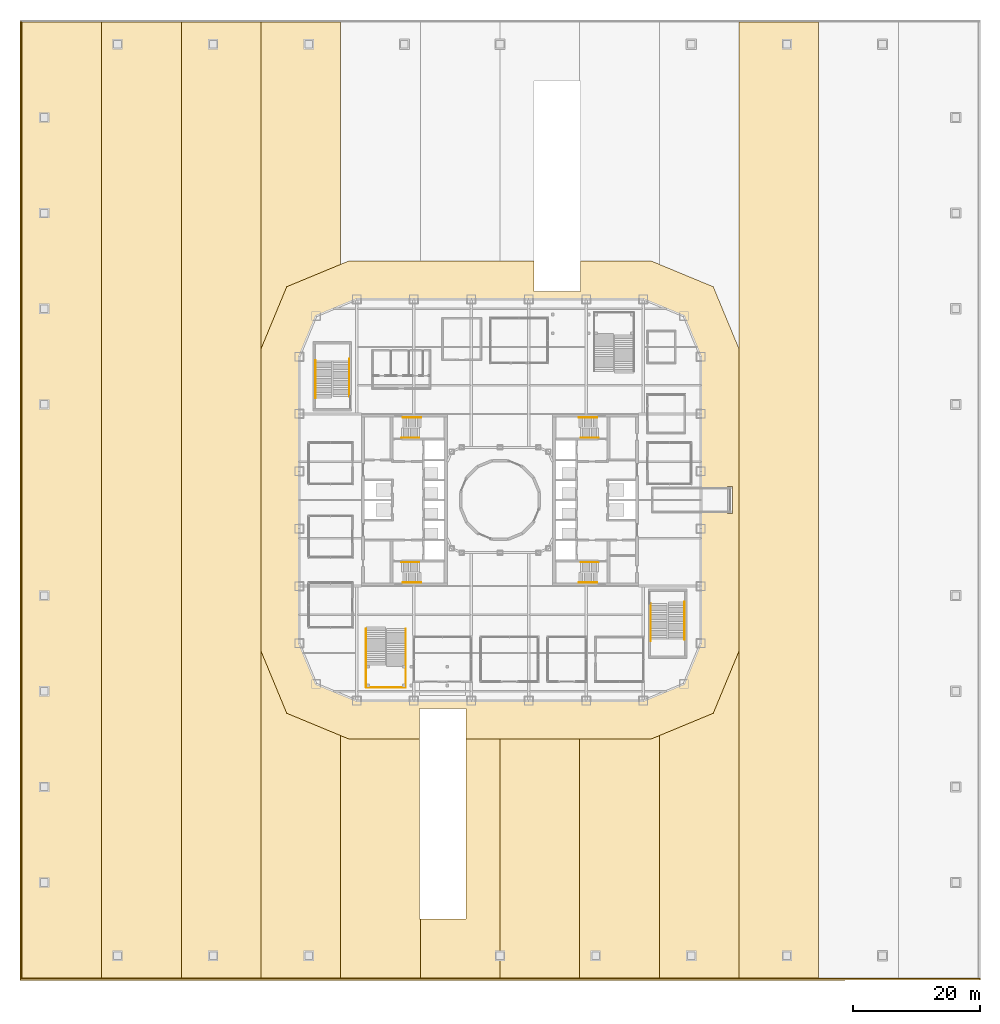
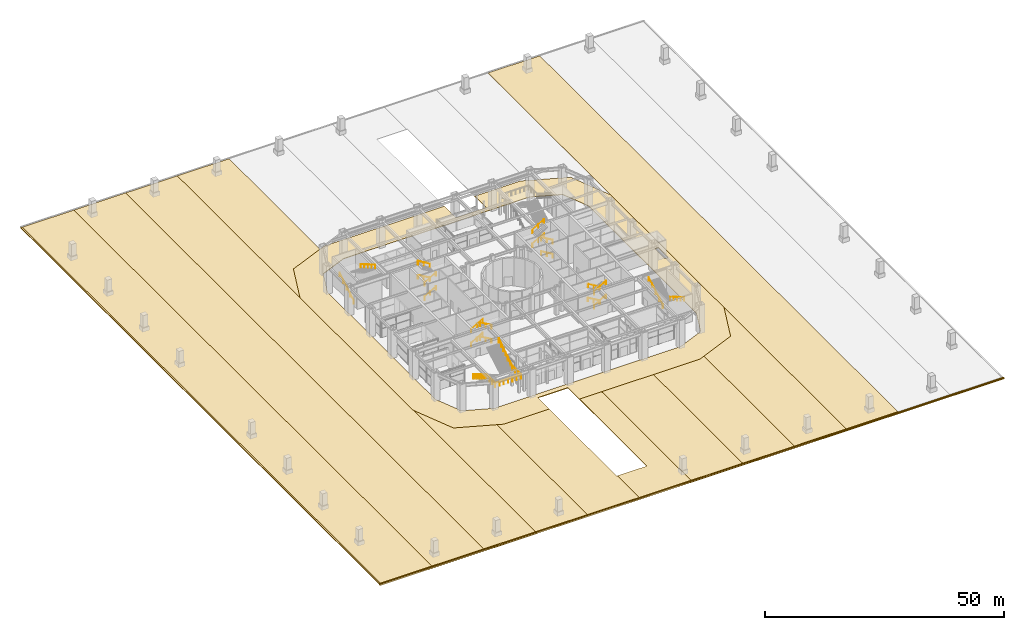
# One storey, part 18 of 20: 21 railings, 14 coverings.
"""IFC4 building model written with IfcOpenShell, lengths in metres."""

from ifc_helpers import new_model, si_unit, direction, frame, origin, origin_2d, place, context, subcontext, project, spatial, polyline, circle, outline, extrude, material, layer, layer_set, type_object, element, save


model = new_model("IFC4")

# Units and contexts
model_context = context("Model", 3, precision=1e-05, world=origin(), true_north=direction((0.0, 1.0)))
body_context = subcontext(model_context, "Body", "Model", "MODEL_VIEW")
ifc_project = project(units=[si_unit("LENGTHUNIT", "METRE"), si_unit("AREAUNIT", "SQUARE_METRE"), si_unit("VOLUMEUNIT", "CUBIC_METRE"), si_unit("PLANEANGLEUNIT", "RADIAN"), si_unit("MASSUNIT", "GRAM", prefix="KILO")], contexts=[model_context])

# Site, building, storey
site_placement = place(None, origin())
site = spatial("IfcSite", under=ifc_project, at=site_placement, CompositionType="ELEMENT")
building_placement = place(site_placement, origin())
building = spatial("IfcBuilding", under=site, at=building_placement, Name="Siwar Civic Tower", CompositionType="ELEMENT")
storey_placement = place(building_placement, origin())
storey = spatial("IfcBuildingStorey", under=building, at=storey_placement, Name="L00", CompositionType="ELEMENT", Elevation=0.0)

# Railings
ifc_material_1 = material(Name="Stainless steel", Category="steel")
railing_type_1 = type_object("IfcRailingType", Name="CORE-STAIR-HANDRAIL", PredefinedType="HANDRAIL", material=ifc_material_1)
railing_1_placement = place(storey_placement, frame((-15.449951171875, 9.758056640625, 0.16357421875)))
element("IfcRailing", 1, at=railing_1_placement, inside=storey, type_object=railing_type_1, Name="Stair handrail ST1", PredefinedType="HANDRAIL", context=body_context, shape_type="SweptSolid", body=[
    extrude(circle(Radius=0.02001953125, at=origin_2d()), frame((0.0, 0.0, 0.8798828125), z_axis=(0.859351957796, 0.0, 0.511384603436), x_axis=(0.0, 1.0, 0.0)), (0.0, 0.0, 1.0), 3.2001953125),
    extrude(circle(Radius=0.02001953125, at=origin_2d()), origin(), (0.0, 0.0, 1.0), 0.85986328125),
    extrude(circle(Radius=0.02001953125, at=origin_2d()), frame((1.375, 0.0, 0.818359375)), (0.0, 0.0, 1.0), 0.85986328125),
    extrude(circle(Radius=0.02001953125, at=origin_2d()), frame((2.75, 0.0, 1.636474609375)), (0.0, 0.0, 1.0), 0.85986328125),
])
railing_2_placement = place(storey_placement, frame((-12.39990234375, 12.94189453125, 1.963623046875)))
element("IfcRailing", 2, at=railing_2_placement, inside=storey, type_object=railing_type_1, Name="Stair handrail ST1", PredefinedType="HANDRAIL", context=body_context, shape_type="SweptSolid", body=[
    extrude(circle(Radius=0.02001953125, at=origin_2d()), frame((0.0, 0.0, 0.8798828125), z_axis=(-0.863360870873, 0.0, 0.504586966384), x_axis=(0.0, -1.0, 0.0)), (0.0, 0.0, 1.0), 3.2431640625),
    extrude(circle(Radius=0.02001953125, at=origin_2d()), origin(), (0.0, 0.0, 1.0), 0.85986328125),
    extrude(circle(Radius=0.02001953125, at=origin_2d()), frame((-1.39990234375, 0.0, 0.818359375)), (0.0, 0.0, 1.0), 0.85986328125),
    extrude(circle(Radius=0.02001953125, at=origin_2d()), frame((-2.800048828125, 0.0, 1.636474609375)), (0.0, 0.0, 1.0), 0.85986328125),
])
railing_3_placement = place(storey_placement, frame((-15.449951171875, 9.758056640625, 3.763671875)))
element("IfcRailing", 3, at=railing_3_placement, inside=storey, type_object=railing_type_1, Name="Stair handrail ST1", PredefinedType="HANDRAIL", context=body_context, shape_type="SweptSolid", body=[
    extrude(circle(Radius=0.02001953125, at=origin_2d()), frame((0.0, 0.0, 0.8798828125), z_axis=(0.859385484447, 0.0, 0.511328259656), x_axis=(0.0, 1.0, 0.0)), (0.0, 0.0, 1.0), 3.199951171875),
    extrude(circle(Radius=0.02001953125, at=origin_2d()), origin(), (0.0, 0.0, 1.0), 0.85986328125),
    extrude(circle(Radius=0.02001953125, at=origin_2d()), frame((1.375, 0.0, 0.818115234375)), (0.0, 0.0, 1.0), 0.85986328125),
    extrude(circle(Radius=0.02001953125, at=origin_2d()), frame((2.75, 0.0, 1.63623046875)), (0.0, 0.0, 1.0), 0.85986328125),
])
railing_4_placement = place(storey_placement, frame((-12.39990234375, 12.94189453125, 5.563720703125)))
element("IfcRailing", 4, at=railing_4_placement, inside=storey, type_object=railing_type_1, Name="Stair handrail ST1", PredefinedType="HANDRAIL", context=body_context, shape_type="SweptSolid", body=[
    extrude(circle(Radius=0.02001953125, at=origin_2d()), frame((0.0, 0.0, 0.8798828125), z_axis=(-0.863393664356, 0.0, 0.504530851732), x_axis=(0.0, -1.0, 0.0)), (0.0, 0.0, 1.0), 3.2431640625),
    extrude(circle(Radius=0.02001953125, at=origin_2d()), origin(), (0.0, 0.0, 1.0), 0.85986328125),
    extrude(circle(Radius=0.02001953125, at=origin_2d()), frame((-1.39990234375, 0.0, 0.818115234375)), (0.0, 0.0, 1.0), 0.85986328125),
    extrude(circle(Radius=0.02001953125, at=origin_2d()), frame((-2.800048828125, 0.0, 1.63623046875)), (0.0, 0.0, 1.0), 0.85986328125),
])
railing_5_placement = place(storey_placement, frame((-15.449951171875, -9.758056640625, 0.16357421875)))
element("IfcRailing", 5, at=railing_5_placement, inside=storey, type_object=railing_type_1, Name="Stair handrail ST2", PredefinedType="HANDRAIL", context=body_context, shape_type="SweptSolid", body=[
    extrude(circle(Radius=0.02001953125, at=origin_2d()), frame((0.0, 0.0, 0.8798828125), z_axis=(0.859351957796, 0.0, 0.511384603436), x_axis=(0.0, 1.0, 0.0)), (0.0, 0.0, 1.0), 3.2001953125),
    extrude(circle(Radius=0.02001953125, at=origin_2d()), origin(), (0.0, 0.0, 1.0), 0.85986328125),
    extrude(circle(Radius=0.02001953125, at=origin_2d()), frame((1.375, 0.0, 0.818359375)), (0.0, 0.0, 1.0), 0.85986328125),
    extrude(circle(Radius=0.02001953125, at=origin_2d()), frame((2.75, 0.0, 1.636474609375)), (0.0, 0.0, 1.0), 0.85986328125),
])
railing_6_placement = place(storey_placement, frame((-12.39990234375, -12.94189453125, 1.963623046875)))
element("IfcRailing", 6, at=railing_6_placement, inside=storey, type_object=railing_type_1, Name="Stair handrail ST2", PredefinedType="HANDRAIL", context=body_context, shape_type="SweptSolid", body=[
    extrude(circle(Radius=0.02001953125, at=origin_2d()), frame((0.0, 0.0, 0.8798828125), z_axis=(-0.863360870873, 0.0, 0.504586966384), x_axis=(0.0, -1.0, 0.0)), (0.0, 0.0, 1.0), 3.2431640625),
    extrude(circle(Radius=0.02001953125, at=origin_2d()), origin(), (0.0, 0.0, 1.0), 0.85986328125),
    extrude(circle(Radius=0.02001953125, at=origin_2d()), frame((-1.39990234375, 0.0, 0.818359375)), (0.0, 0.0, 1.0), 0.85986328125),
    extrude(circle(Radius=0.02001953125, at=origin_2d()), frame((-2.800048828125, 0.0, 1.636474609375)), (0.0, 0.0, 1.0), 0.85986328125),
])
railing_7_placement = place(storey_placement, frame((-15.449951171875, -9.758056640625, 3.763671875)))
element("IfcRailing", 7, at=railing_7_placement, inside=storey, type_object=railing_type_1, Name="Stair handrail ST2", PredefinedType="HANDRAIL", context=body_context, shape_type="SweptSolid", body=[
    extrude(circle(Radius=0.02001953125, at=origin_2d()), frame((0.0, 0.0, 0.8798828125), z_axis=(0.859385484447, 0.0, 0.511328259656), x_axis=(0.0, 1.0, 0.0)), (0.0, 0.0, 1.0), 3.199951171875),
    extrude(circle(Radius=0.02001953125, at=origin_2d()), origin(), (0.0, 0.0, 1.0), 0.85986328125),
    extrude(circle(Radius=0.02001953125, at=origin_2d()), frame((1.375, 0.0, 0.818115234375)), (0.0, 0.0, 1.0), 0.85986328125),
    extrude(circle(Radius=0.02001953125, at=origin_2d()), frame((2.75, 0.0, 1.63623046875)), (0.0, 0.0, 1.0), 0.85986328125),
])
railing_8_placement = place(storey_placement, frame((-12.39990234375, -12.94189453125, 5.563720703125)))
element("IfcRailing", 8, at=railing_8_placement, inside=storey, type_object=railing_type_1, Name="Stair handrail ST2", PredefinedType="HANDRAIL", context=body_context, shape_type="SweptSolid", body=[
    extrude(circle(Radius=0.02001953125, at=origin_2d()), frame((0.0, 0.0, 0.8798828125), z_axis=(-0.863393664356, 0.0, 0.504530851732), x_axis=(0.0, -1.0, 0.0)), (0.0, 0.0, 1.0), 3.2431640625),
    extrude(circle(Radius=0.02001953125, at=origin_2d()), origin(), (0.0, 0.0, 1.0), 0.85986328125),
    extrude(circle(Radius=0.02001953125, at=origin_2d()), frame((-1.39990234375, 0.0, 0.818115234375)), (0.0, 0.0, 1.0), 0.85986328125),
    extrude(circle(Radius=0.02001953125, at=origin_2d()), frame((-2.800048828125, 0.0, 1.63623046875)), (0.0, 0.0, 1.0), 0.85986328125),
])
railing_9_placement = place(storey_placement, frame((15.449951171875, 9.758056640625, 0.16357421875)))
element("IfcRailing", 9, at=railing_9_placement, inside=storey, type_object=railing_type_1, Name="Stair handrail ST3", PredefinedType="HANDRAIL", context=body_context, shape_type="SweptSolid", body=[
    extrude(circle(Radius=0.02001953125, at=origin_2d()), frame((0.0, 0.0, 0.8798828125), z_axis=(-0.859351957796, 0.0, 0.511384603436), x_axis=(0.0, -1.0, 0.0)), (0.0, 0.0, 1.0), 3.2001953125),
    extrude(circle(Radius=0.02001953125, at=origin_2d()), origin(), (0.0, 0.0, 1.0), 0.85986328125),
    extrude(circle(Radius=0.02001953125, at=origin_2d()), frame((-1.375, 0.0, 0.818359375)), (0.0, 0.0, 1.0), 0.85986328125),
    extrude(circle(Radius=0.02001953125, at=origin_2d()), frame((-2.75, 0.0, 1.636474609375)), (0.0, 0.0, 1.0), 0.85986328125),
])
railing_10_placement = place(storey_placement, frame((12.39990234375, 12.94189453125, 1.963623046875)))
element("IfcRailing", 10, at=railing_10_placement, inside=storey, type_object=railing_type_1, Name="Stair handrail ST3", PredefinedType="HANDRAIL", context=body_context, shape_type="SweptSolid", body=[
    extrude(circle(Radius=0.02001953125, at=origin_2d()), frame((0.0, 0.0, 0.8798828125), z_axis=(0.863360870873, 0.0, 0.504586966384), x_axis=(0.0, 1.0, 0.0)), (0.0, 0.0, 1.0), 3.2431640625),
    extrude(circle(Radius=0.02001953125, at=origin_2d()), origin(), (0.0, 0.0, 1.0), 0.85986328125),
    extrude(circle(Radius=0.02001953125, at=origin_2d()), frame((1.39990234375, 0.0, 0.818359375)), (0.0, 0.0, 1.0), 0.85986328125),
    extrude(circle(Radius=0.02001953125, at=origin_2d()), frame((2.800048828125, 0.0, 1.636474609375)), (0.0, 0.0, 1.0), 0.85986328125),
])
railing_11_placement = place(storey_placement, frame((15.449951171875, 9.758056640625, 3.763671875)))
element("IfcRailing", 11, at=railing_11_placement, inside=storey, type_object=railing_type_1, Name="Stair handrail ST3", PredefinedType="HANDRAIL", context=body_context, shape_type="SweptSolid", body=[
    extrude(circle(Radius=0.02001953125, at=origin_2d()), frame((0.0, 0.0, 0.8798828125), z_axis=(-0.859385484447, 0.0, 0.511328259656), x_axis=(0.0, -1.0, 0.0)), (0.0, 0.0, 1.0), 3.199951171875),
    extrude(circle(Radius=0.02001953125, at=origin_2d()), origin(), (0.0, 0.0, 1.0), 0.85986328125),
    extrude(circle(Radius=0.02001953125, at=origin_2d()), frame((-1.375, 0.0, 0.818115234375)), (0.0, 0.0, 1.0), 0.85986328125),
    extrude(circle(Radius=0.02001953125, at=origin_2d()), frame((-2.75, 0.0, 1.63623046875)), (0.0, 0.0, 1.0), 0.85986328125),
])
railing_12_placement = place(storey_placement, frame((12.39990234375, 12.94189453125, 5.563720703125)))
element("IfcRailing", 12, at=railing_12_placement, inside=storey, type_object=railing_type_1, Name="Stair handrail ST3", PredefinedType="HANDRAIL", context=body_context, shape_type="SweptSolid", body=[
    extrude(circle(Radius=0.02001953125, at=origin_2d()), frame((0.0, 0.0, 0.8798828125), z_axis=(0.863393664356, 0.0, 0.504530851732), x_axis=(0.0, 1.0, 0.0)), (0.0, 0.0, 1.0), 3.2431640625),
    extrude(circle(Radius=0.02001953125, at=origin_2d()), origin(), (0.0, 0.0, 1.0), 0.85986328125),
    extrude(circle(Radius=0.02001953125, at=origin_2d()), frame((1.39990234375, 0.0, 0.818115234375)), (0.0, 0.0, 1.0), 0.85986328125),
    extrude(circle(Radius=0.02001953125, at=origin_2d()), frame((2.800048828125, 0.0, 1.63623046875)), (0.0, 0.0, 1.0), 0.85986328125),
])
railing_13_placement = place(storey_placement, frame((15.449951171875, -9.758056640625, 0.16357421875)))
element("IfcRailing", 13, at=railing_13_placement, inside=storey, type_object=railing_type_1, Name="Stair handrail ST4", PredefinedType="HANDRAIL", context=body_context, shape_type="SweptSolid", body=[
    extrude(circle(Radius=0.02001953125, at=origin_2d()), frame((0.0, 0.0, 0.8798828125), z_axis=(-0.859351957796, 0.0, 0.511384603436), x_axis=(0.0, -1.0, 0.0)), (0.0, 0.0, 1.0), 3.2001953125),
    extrude(circle(Radius=0.02001953125, at=origin_2d()), origin(), (0.0, 0.0, 1.0), 0.85986328125),
    extrude(circle(Radius=0.02001953125, at=origin_2d()), frame((-1.375, 0.0, 0.818359375)), (0.0, 0.0, 1.0), 0.85986328125),
    extrude(circle(Radius=0.02001953125, at=origin_2d()), frame((-2.75, 0.0, 1.636474609375)), (0.0, 0.0, 1.0), 0.85986328125),
])
railing_14_placement = place(storey_placement, frame((12.39990234375, -12.94189453125, 1.963623046875)))
element("IfcRailing", 14, at=railing_14_placement, inside=storey, type_object=railing_type_1, Name="Stair handrail ST4", PredefinedType="HANDRAIL", context=body_context, shape_type="SweptSolid", body=[
    extrude(circle(Radius=0.02001953125, at=origin_2d()), frame((0.0, 0.0, 0.8798828125), z_axis=(0.863360870873, 0.0, 0.504586966384), x_axis=(0.0, 1.0, 0.0)), (0.0, 0.0, 1.0), 3.2431640625),
    extrude(circle(Radius=0.02001953125, at=origin_2d()), origin(), (0.0, 0.0, 1.0), 0.85986328125),
    extrude(circle(Radius=0.02001953125, at=origin_2d()), frame((1.39990234375, 0.0, 0.818359375)), (0.0, 0.0, 1.0), 0.85986328125),
    extrude(circle(Radius=0.02001953125, at=origin_2d()), frame((2.800048828125, 0.0, 1.636474609375)), (0.0, 0.0, 1.0), 0.85986328125),
])
railing_15_placement = place(storey_placement, frame((15.449951171875, -9.758056640625, 3.763671875)))
element("IfcRailing", 15, at=railing_15_placement, inside=storey, type_object=railing_type_1, Name="Stair handrail ST4", PredefinedType="HANDRAIL", context=body_context, shape_type="SweptSolid", body=[
    extrude(circle(Radius=0.02001953125, at=origin_2d()), frame((0.0, 0.0, 0.8798828125), z_axis=(-0.859385484447, 0.0, 0.511328259656), x_axis=(0.0, -1.0, 0.0)), (0.0, 0.0, 1.0), 3.199951171875),
    extrude(circle(Radius=0.02001953125, at=origin_2d()), origin(), (0.0, 0.0, 1.0), 0.85986328125),
    extrude(circle(Radius=0.02001953125, at=origin_2d()), frame((-1.375, 0.0, 0.818115234375)), (0.0, 0.0, 1.0), 0.85986328125),
    extrude(circle(Radius=0.02001953125, at=origin_2d()), frame((-2.75, 0.0, 1.63623046875)), (0.0, 0.0, 1.0), 0.85986328125),
])
railing_16_placement = place(storey_placement, frame((12.39990234375, -12.94189453125, 5.563720703125)))
element("IfcRailing", 16, at=railing_16_placement, inside=storey, type_object=railing_type_1, Name="Stair handrail ST4", PredefinedType="HANDRAIL", context=body_context, shape_type="SweptSolid", body=[
    extrude(circle(Radius=0.02001953125, at=origin_2d()), frame((0.0, 0.0, 0.8798828125), z_axis=(0.863393664356, 0.0, 0.504530851732), x_axis=(0.0, 1.0, 0.0)), (0.0, 0.0, 1.0), 3.2431640625),
    extrude(circle(Radius=0.02001953125, at=origin_2d()), origin(), (0.0, 0.0, 1.0), 0.85986328125),
    extrude(circle(Radius=0.02001953125, at=origin_2d()), frame((1.39990234375, 0.0, 0.818115234375)), (0.0, 0.0, 1.0), 0.85986328125),
    extrude(circle(Radius=0.02001953125, at=origin_2d()), frame((2.800048828125, 0.0, 1.63623046875)), (0.0, 0.0, 1.0), 0.85986328125),
])
ifc_material_2 = material(Name="Stainless steel", Category="steel")
railing_type_2 = type_object("IfcRailingType", Name="GND-HANDRAIL", PredefinedType="HANDRAIL", material=ifc_material_2)
railing_17_placement = place(storey_placement, frame((-28.94189453125, 16.0, 0.16357421875)))
element("IfcRailing", 17, at=railing_17_placement, inside=storey, type_object=railing_type_2, Name="Stair handrail ST5", PredefinedType="HANDRAIL", context=body_context, shape_type="SweptSolid", body=[
    extrude(circle(Radius=0.02001953125, at=origin_2d()), frame((0.0, 0.0, 0.8798828125), z_axis=(0.0, 0.863357341461, 0.504593005248), x_axis=(-1.0, 0.0, 0.0)), (0.0, 0.0, 1.0), 6.810546875),
    extrude(circle(Radius=0.02001953125, at=origin_2d()), origin(), (0.0, 0.0, 1.0), 0.85986328125),
    extrude(circle(Radius=0.02001953125, at=origin_2d()), frame((0.0, 1.469970703125, 0.859130859375)), (0.0, 0.0, 1.0), 0.85986328125),
    extrude(circle(Radius=0.02001953125, at=origin_2d()), frame((0.0, 2.93994140625, 1.71826171875)), (0.0, 0.0, 1.0), 0.85986328125),
    extrude(circle(Radius=0.02001953125, at=origin_2d()), frame((0.0, 4.409912109375, 2.577392578125)), (0.0, 0.0, 1.0), 0.85986328125),
    extrude(circle(Radius=0.02001953125, at=origin_2d()), frame((0.0, 5.8798828125, 3.4365234375)), (0.0, 0.0, 1.0), 0.85986328125),
])
railing_18_placement = place(storey_placement, frame((-23.657958984375, 22.1298828125, 3.763671875)))
element("IfcRailing", 18, at=railing_18_placement, inside=storey, type_object=railing_type_2, Name="Stair handrail ST5", PredefinedType="HANDRAIL", context=body_context, shape_type="SweptSolid", body=[
    extrude(circle(Radius=0.02001953125, at=origin_2d()), frame((0.0, 0.0, 0.8798828125), z_axis=(0.0, -0.863372958192, 0.504566284112), x_axis=(1.0, 0.0, 0.0)), (0.0, 0.0, 1.0), 6.810302734375),
    extrude(circle(Radius=0.02001953125, at=origin_2d()), origin(), (0.0, 0.0, 1.0), 0.85986328125),
    extrude(circle(Radius=0.02001953125, at=origin_2d()), frame((0.0, -1.469970703125, 0.859130859375)), (0.0, 0.0, 1.0), 0.85986328125),
    extrude(circle(Radius=0.02001953125, at=origin_2d()), frame((0.0, -2.93994140625, 1.71826171875)), (0.0, 0.0, 1.0), 0.85986328125),
    extrude(circle(Radius=0.02001953125, at=origin_2d()), frame((0.0, -4.409912109375, 2.5771484375)), (0.0, 0.0, 1.0), 0.85986328125),
    extrude(circle(Radius=0.02001953125, at=origin_2d()), frame((0.0, -5.8798828125, 3.436279296875)), (0.0, 0.0, 1.0), 0.85986328125),
])
railing_19_placement = place(storey_placement, frame((28.94189453125, -16.0, 0.16357421875)))
element("IfcRailing", 19, at=railing_19_placement, inside=storey, type_object=railing_type_2, Name="Stair handrail ST6", PredefinedType="HANDRAIL", context=body_context, shape_type="SweptSolid", body=[
    extrude(circle(Radius=0.02001953125, at=origin_2d()), frame((0.0, 0.0, 0.8798828125), z_axis=(0.0, -0.863357341461, 0.504593005248), x_axis=(1.0, 0.0, 0.0)), (0.0, 0.0, 1.0), 6.810546875),
    extrude(circle(Radius=0.02001953125, at=origin_2d()), origin(), (0.0, 0.0, 1.0), 0.85986328125),
    extrude(circle(Radius=0.02001953125, at=origin_2d()), frame((0.0, -1.469970703125, 0.859130859375)), (0.0, 0.0, 1.0), 0.85986328125),
    extrude(circle(Radius=0.02001953125, at=origin_2d()), frame((0.0, -2.93994140625, 1.71826171875)), (0.0, 0.0, 1.0), 0.85986328125),
    extrude(circle(Radius=0.02001953125, at=origin_2d()), frame((0.0, -4.409912109375, 2.577392578125)), (0.0, 0.0, 1.0), 0.85986328125),
    extrude(circle(Radius=0.02001953125, at=origin_2d()), frame((0.0, -5.8798828125, 3.4365234375)), (0.0, 0.0, 1.0), 0.85986328125),
])
railing_20_placement = place(storey_placement, frame((23.657958984375, -22.1298828125, 3.763671875)))
element("IfcRailing", 20, at=railing_20_placement, inside=storey, type_object=railing_type_2, Name="Stair handrail ST6", PredefinedType="HANDRAIL", context=body_context, shape_type="SweptSolid", body=[
    extrude(circle(Radius=0.02001953125, at=origin_2d()), frame((0.0, 0.0, 0.8798828125), z_axis=(0.0, 0.863372958192, 0.504566284112), x_axis=(-1.0, 0.0, 0.0)), (0.0, 0.0, 1.0), 6.810302734375),
    extrude(circle(Radius=0.02001953125, at=origin_2d()), origin(), (0.0, 0.0, 1.0), 0.85986328125),
    extrude(circle(Radius=0.02001953125, at=origin_2d()), frame((0.0, 1.469970703125, 0.859130859375)), (0.0, 0.0, 1.0), 0.85986328125),
    extrude(circle(Radius=0.02001953125, at=origin_2d()), frame((0.0, 2.93994140625, 1.71826171875)), (0.0, 0.0, 1.0), 0.85986328125),
    extrude(circle(Radius=0.02001953125, at=origin_2d()), frame((0.0, 4.409912109375, 2.5771484375)), (0.0, 0.0, 1.0), 0.85986328125),
    extrude(circle(Radius=0.02001953125, at=origin_2d()), frame((0.0, 5.8798828125, 3.436279296875)), (0.0, 0.0, 1.0), 0.85986328125),
])

# Coverings
ifc_material_3 = material(Name="Granite kerb", Category="masonry")
ifc_layer_1 = layer(ifc_material_3, 0.25)
ifc_layer_set_1 = layer_set([ifc_layer_1], Name="Granite kerb")
covering_type_1 = type_object("IfcCoveringType", Name="GND-KERB", PredefinedType="USERDEFINED", material=ifc_layer_set_1)
covering_1_placement = place(storey_placement, frame((0.0, 0.0, -0.14990234375)))
element("IfcCovering", 21, at=covering_1_placement, inside=storey, type_object=covering_type_1, Name="Kerb", ObjectType="KERB", PredefinedType="USERDEFINED", context=body_context, shape_type="SweptSolid", body=[
    extrude(outline(polyline([(-75.300048828125, -75.300048828125), (75.300048828125, -75.300048828125), (75.300048828125, -75.0), (-75.300048828125, -75.0), (-75.300048828125, -75.300048828125)])), origin(), (0.0, 0.0, 1.0), 0.25),
])
covering_2_placement = place(storey_placement, frame((0.0, 0.0, -0.14990234375)))
element("IfcCovering", 22, at=covering_2_placement, inside=storey, type_object=covering_type_1, Name="Kerb", ObjectType="KERB", PredefinedType="USERDEFINED", context=body_context, shape_type="SweptSolid", body=[
    extrude(outline(polyline([(-75.300048828125, -75.0), (-75.0, -75.0), (-75.0, 75.0), (-75.300048828125, 75.0), (-75.300048828125, -75.0)])), origin(), (0.0, 0.0, 1.0), 0.25),
])
ifc_material_4 = material(Name="Granite paving", Category="masonry")
ifc_layer_2 = layer(ifc_material_4, 0.14990234375)
ifc_layer_set_2 = layer_set([ifc_layer_2], Name="Granite paving")
covering_type_2 = type_object("IfcCoveringType", Name="GND-PAVING", PredefinedType="USERDEFINED", material=ifc_layer_set_2)
covering_3_placement = place(storey_placement, frame((0.0, 0.0, -0.14990234375)))
element("IfcCovering", 23, at=covering_3_placement, inside=storey, type_object=covering_type_2, Name="Paving", ObjectType="PAVING", PredefinedType="USERDEFINED", context=body_context, shape_type="SweptSolid", body=[
    extrude(outline(polyline([(-62.5, 75.0), (-62.5, -75.0), (-75.0, -75.0), (-75.0, 75.0), (-62.5, 75.0)])), origin(), (0.0, 0.0, 1.0), 0.14990234375),
])
covering_4_placement = place(storey_placement, frame((0.0, 0.0, -0.14990234375)))
element("IfcCovering", 24, at=covering_4_placement, inside=storey, type_object=covering_type_2, Name="Paving", ObjectType="PAVING", PredefinedType="USERDEFINED", context=body_context, shape_type="SweptSolid", body=[
    extrude(outline(polyline([(-37.5, 75.0), (-37.5, 23.693115234375), (-37.5, -23.693115234375), (-37.5, -75.0), (-50.0, -75.0), (-50.0, 75.0), (-37.5, 75.0)])), origin(), (0.0, 0.0, 1.0), 0.14990234375),
])
covering_5_placement = place(storey_placement, frame((0.0, 0.0, -0.14990234375)))
element("IfcCovering", 25, at=covering_5_placement, inside=storey, type_object=covering_type_2, Name="Paving", ObjectType="PAVING", PredefinedType="USERDEFINED", context=body_context, shape_type="SweptSolid", body=[
    extrude(outline(polyline([(-25.0, -75.0), (-25.0, -36.95849609375), (-23.693115234375, -37.5), (-12.64990234375, -37.5), (-12.64990234375, -65.699951171875), (-12.5, -65.699951171875), (-12.5, -75.0), (-25.0, -75.0)])), origin(), (0.0, 0.0, 1.0), 0.14990234375),
])
covering_6_placement = place(storey_placement, frame((0.0, 0.0, -0.14990234375)))
element("IfcCovering", 26, at=covering_6_placement, inside=storey, type_object=covering_type_2, Name="Paving", ObjectType="PAVING", PredefinedType="USERDEFINED", context=body_context, shape_type="SweptSolid", body=[
    extrude(outline(polyline([(0.0, -75.0), (0.0, -37.5), (12.5, -37.5), (12.5, -75.0), (0.0, -75.0)])), origin(), (0.0, 0.0, 1.0), 0.14990234375),
])
covering_7_placement = place(storey_placement, frame((0.0, 0.0, -0.14990234375)))
element("IfcCovering", 27, at=covering_7_placement, inside=storey, type_object=covering_type_2, Name="Paving", ObjectType="PAVING", PredefinedType="USERDEFINED", context=body_context, shape_type="SweptSolid", body=[
    extrude(outline(polyline([(25.0, -75.0), (25.0, -36.95849609375), (33.4560546875, -33.4560546875), (37.5, -23.693115234375), (37.5, -75.0), (25.0, -75.0)])), origin(), (0.0, 0.0, 1.0), 0.14990234375),
])
ifc_material_5 = material(Name="Limestone paving", Category="masonry")
ifc_layer_3 = layer(ifc_material_5, 0.14990234375)
ifc_layer_set_3 = layer_set([ifc_layer_3], Name="Limestone paving")
covering_type_3 = type_object("IfcCoveringType", Name="GND-PAVING-STONE", PredefinedType="USERDEFINED", material=ifc_layer_set_3)
covering_8_placement = place(storey_placement, frame((0.0, 0.0, -0.14990234375)))
element("IfcCovering", 28, at=covering_8_placement, inside=storey, type_object=covering_type_3, Name="Paving", ObjectType="PAVING", PredefinedType="USERDEFINED", context=body_context, shape_type="SweptSolid", body=[
    extrude(outline(polyline([(-37.5, 23.693115234375), (-33.4560546875, 33.4560546875), (-23.693115234375, 37.5), (5.35009765625, 37.5), (5.35009765625, 32.699951171875), (12.64990234375, 32.699951171875), (12.64990234375, 37.5), (23.693115234375, 37.5), (33.4560546875, 33.4560546875), (37.5, 23.693115234375), (37.5, -23.693115234375), (33.4560546875, -33.4560546875), (23.693115234375, -37.5), (-5.35009765625, -37.5), (-5.35009765625, -32.699951171875), (-12.64990234375, -32.699951171875), (-12.64990234375, -37.5), (-23.693115234375, -37.5), (-33.4560546875, -33.4560546875), (-37.5, -23.693115234375), (-37.5, 23.693115234375)]), holes=[polyline([(-28.864013671875, -28.864013671875), (-22.5, -31.5), (22.5, -31.5), (28.864013671875, -28.864013671875), (31.5, -22.5), (31.5, 22.5), (28.864013671875, 28.864013671875), (22.5, 31.5), (-22.5, 31.5), (-28.864013671875, 28.864013671875), (-31.5, 22.5), (-31.5, -22.5), (-28.864013671875, -28.864013671875)]), polyline([(35.699951171875, 2.10009765625), (35.699951171875, -2.10009765625), (36.5, -2.10009765625), (36.5, 2.10009765625), (35.699951171875, 2.10009765625)])]), origin(), (0.0, 0.0, 1.0), 0.14990234375),
])
covering_9_placement = place(storey_placement, frame((0.0, 0.0, -0.14990234375)))
element("IfcCovering", 29, at=covering_9_placement, inside=storey, type_object=covering_type_3, Name="Paving", ObjectType="PAVING", PredefinedType="USERDEFINED", context=body_context, shape_type="SweptSolid", body=[
    extrude(outline(polyline([(-50.0, 75.0), (-50.0, -75.0), (-62.5, -75.0), (-62.5, 75.0), (-50.0, 75.0)])), origin(), (0.0, 0.0, 1.0), 0.14990234375),
])
covering_10_placement = place(storey_placement, frame((0.0, 0.0, -0.14990234375)))
element("IfcCovering", 30, at=covering_10_placement, inside=storey, type_object=covering_type_3, Name="Paving", ObjectType="PAVING", PredefinedType="USERDEFINED", context=body_context, shape_type="SweptSolid", body=[
    extrude(outline(polyline([(-25.0, 75.0), (-25.0, 36.95849609375), (-33.4560546875, 33.4560546875), (-37.5, 23.693115234375), (-37.5, 75.0), (-25.0, 75.0)])), origin(), (0.0, 0.0, 1.0), 0.14990234375),
])
covering_11_placement = place(storey_placement, frame((0.0, 0.0, -0.14990234375)))
element("IfcCovering", 31, at=covering_11_placement, inside=storey, type_object=covering_type_3, Name="Paving", ObjectType="PAVING", PredefinedType="USERDEFINED", context=body_context, shape_type="SweptSolid", body=[
    extrude(outline(polyline([(-37.5, -75.0), (-37.5, -23.693115234375), (-33.4560546875, -33.4560546875), (-25.0, -36.95849609375), (-25.0, -75.0), (-37.5, -75.0)])), origin(), (0.0, 0.0, 1.0), 0.14990234375),
])
covering_12_placement = place(storey_placement, frame((0.0, 0.0, -0.14990234375)))
element("IfcCovering", 32, at=covering_12_placement, inside=storey, type_object=covering_type_3, Name="Paving", ObjectType="PAVING", PredefinedType="USERDEFINED", context=body_context, shape_type="SweptSolid", body=[
    extrude(outline(polyline([(-12.5, -75.0), (-12.5, -65.699951171875), (-5.35009765625, -65.699951171875), (-5.35009765625, -37.5), (0.0, -37.5), (0.0, -75.0), (-12.5, -75.0)])), origin(), (0.0, 0.0, 1.0), 0.14990234375),
])
covering_13_placement = place(storey_placement, frame((0.0, 0.0, -0.14990234375)))
element("IfcCovering", 33, at=covering_13_placement, inside=storey, type_object=covering_type_3, Name="Paving", ObjectType="PAVING", PredefinedType="USERDEFINED", context=body_context, shape_type="SweptSolid", body=[
    extrude(outline(polyline([(12.5, -75.0), (12.5, -37.5), (23.693115234375, -37.5), (25.0, -36.95849609375), (25.0, -75.0), (12.5, -75.0)])), origin(), (0.0, 0.0, 1.0), 0.14990234375),
])
covering_14_placement = place(storey_placement, frame((0.0, 0.0, -0.14990234375)))
element("IfcCovering", 34, at=covering_14_placement, inside=storey, type_object=covering_type_3, Name="Paving", ObjectType="PAVING", PredefinedType="USERDEFINED", context=body_context, shape_type="SweptSolid", body=[
    extrude(outline(polyline([(50.0, 75.0), (50.0, -75.0), (37.5, -75.0), (37.5, -23.693115234375), (37.5, 23.693115234375), (37.5, 75.0), (50.0, 75.0)])), origin(), (0.0, 0.0, 1.0), 0.14990234375),
])

# Railing
ifc_material_6 = material(Name="Stainless steel", Category="steel")
railing_type_3 = type_object("IfcRailingType", Name="GND-RAIL", PredefinedType="GUARDRAIL", material=ifc_material_6)
railing_21_placement = place(storey_placement, frame((-21.0, -20.199951171875, 0.17138671875)))
element("IfcRailing", 35, at=railing_21_placement, inside=storey, type_object=railing_type_3, Name="Guard GS1", PredefinedType="GUARDRAIL", context=body_context, shape_type="SweptSolid", body=[
    extrude(circle(Radius=0.02392578125, at=origin_2d()), frame((0.0, 0.0, 1.076171875), z_axis=(0.0, -0.854903959909, 0.518786294472), x_axis=(1.0, 0.0, 0.0)), (0.0, 0.0, 1.0), 6.609130859375),
    extrude(circle(Radius=0.02392578125, at=origin_2d()), frame((0.0, -5.650146484375, 4.5048828125), z_axis=(0.0, -1.0, 0.0), x_axis=(1.0, 0.0, 0.0)), (0.0, 0.0, 1.0), 3.5498046875),
    extrude(circle(Radius=0.02392578125, at=origin_2d()), frame((0.0, -9.199951171875, 4.5048828125), z_axis=(1.0, 0.0, 0.0), x_axis=(0.0, 1.0, 0.0)), (0.0, 0.0, 1.0), 6.199951171875),
    extrude(circle(Radius=0.02392578125, at=origin_2d()), frame((6.199951171875, -9.199951171875, 4.5048828125), z_axis=(0.0, 1.0, 0.0), x_axis=(-1.0, 0.0, 0.0)), (0.0, 0.0, 1.0), 3.5498046875),
    extrude(circle(Radius=0.02392578125, at=origin_2d()), frame((6.199951171875, -5.650146484375, 4.5048828125), z_axis=(0.0, 0.84337025884, 0.537332863786), x_axis=(-1.0, 0.0, 0.0)), (0.0, 0.0, 1.0), 6.699462890625),
    extrude(circle(Radius=0.02099609375, at=origin_2d()), origin(), (0.0, 0.0, 1.0), 1.052001953125),
    extrude(circle(Radius=0.02099609375, at=origin_2d()), frame((0.0, -0.941650390625, 0.571533203125)), (0.0, 0.0, 1.0), 1.052001953125),
    extrude(circle(Radius=0.02099609375, at=origin_2d()), frame((0.0, -1.88330078125, 1.142822265625)), (0.0, 0.0, 1.0), 1.052001953125),
    extrude(circle(Radius=0.02099609375, at=origin_2d()), frame((0.0, -2.8251953125, 1.71435546875)), (0.0, 0.0, 1.0), 1.052001953125),
    extrude(circle(Radius=0.02099609375, at=origin_2d()), frame((0.0, -3.766845703125, 2.285888671875)), (0.0, 0.0, 1.0), 1.052001953125),
    extrude(circle(Radius=0.02099609375, at=origin_2d()), frame((0.0, -4.70849609375, 2.857177734375)), (0.0, 0.0, 1.0), 1.052001953125),
    extrude(circle(Radius=0.02099609375, at=origin_2d()), frame((0.0, -5.650146484375, 3.4287109375)), (0.0, 0.0, 1.0), 1.052001953125),
    extrude(circle(Radius=0.02099609375, at=origin_2d()), frame((0.0, -6.83349609375, 3.4287109375)), (0.0, 0.0, 1.0), 1.052001953125),
    extrude(circle(Radius=0.02099609375, at=origin_2d()), frame((0.0, -8.0166015625, 3.4287109375)), (0.0, 0.0, 1.0), 1.052001953125),
    extrude(circle(Radius=0.02099609375, at=origin_2d()), frame((0.0, -9.199951171875, 3.4287109375)), (0.0, 0.0, 1.0), 1.052001953125),
    extrude(circle(Radius=0.02099609375, at=origin_2d()), frame((1.033203125, -9.199951171875, 3.4287109375)), (0.0, 0.0, 1.0), 1.052001953125),
    extrude(circle(Radius=0.02099609375, at=origin_2d()), frame((2.066650390625, -9.199951171875, 3.4287109375)), (0.0, 0.0, 1.0), 1.052001953125),
    extrude(circle(Radius=0.02099609375, at=origin_2d()), frame((3.10009765625, -9.199951171875, 3.4287109375)), (0.0, 0.0, 1.0), 1.052001953125),
    extrude(circle(Radius=0.02099609375, at=origin_2d()), frame((4.13330078125, -9.199951171875, 3.4287109375)), (0.0, 0.0, 1.0), 1.052001953125),
    extrude(circle(Radius=0.02099609375, at=origin_2d()), frame((5.16650390625, -9.199951171875, 3.4287109375)), (0.0, 0.0, 1.0), 1.052001953125),
    extrude(circle(Radius=0.02099609375, at=origin_2d()), frame((6.199951171875, -9.199951171875, 3.4287109375)), (0.0, 0.0, 1.0), 1.052001953125),
    extrude(circle(Radius=0.02099609375, at=origin_2d()), frame((6.199951171875, -8.0166015625, 3.4287109375)), (0.0, 0.0, 1.0), 1.052001953125),
    extrude(circle(Radius=0.02099609375, at=origin_2d()), frame((6.199951171875, -6.83349609375, 3.4287109375)), (0.0, 0.0, 1.0), 1.052001953125),
    extrude(circle(Radius=0.02099609375, at=origin_2d()), frame((6.199951171875, -5.650146484375, 3.4287109375)), (0.0, 0.0, 1.0), 1.052001953125),
    extrude(circle(Radius=0.02099609375, at=origin_2d()), frame((6.199951171875, -4.70849609375, 4.02880859375)), (0.0, 0.0, 1.0), 1.052001953125),
    extrude(circle(Radius=0.02099609375, at=origin_2d()), frame((6.199951171875, -3.766845703125, 4.628662109375)), (0.0, 0.0, 1.0), 1.052001953125),
    extrude(circle(Radius=0.02099609375, at=origin_2d()), frame((6.199951171875, -2.8251953125, 5.228515625)), (0.0, 0.0, 1.0), 1.052001953125),
    extrude(circle(Radius=0.02099609375, at=origin_2d()), frame((6.199951171875, -1.88330078125, 5.82861328125)), (0.0, 0.0, 1.0), 1.052001953125),
    extrude(circle(Radius=0.02099609375, at=origin_2d()), frame((6.199951171875, -0.941650390625, 6.4287109375)), (0.0, 0.0, 1.0), 1.052001953125),
    extrude(circle(Radius=0.02099609375, at=origin_2d()), frame((6.199951171875, 0.0, 7.028564453125)), (0.0, 0.0, 1.0), 1.052001953125),
])

save(model, "model.ifc")
